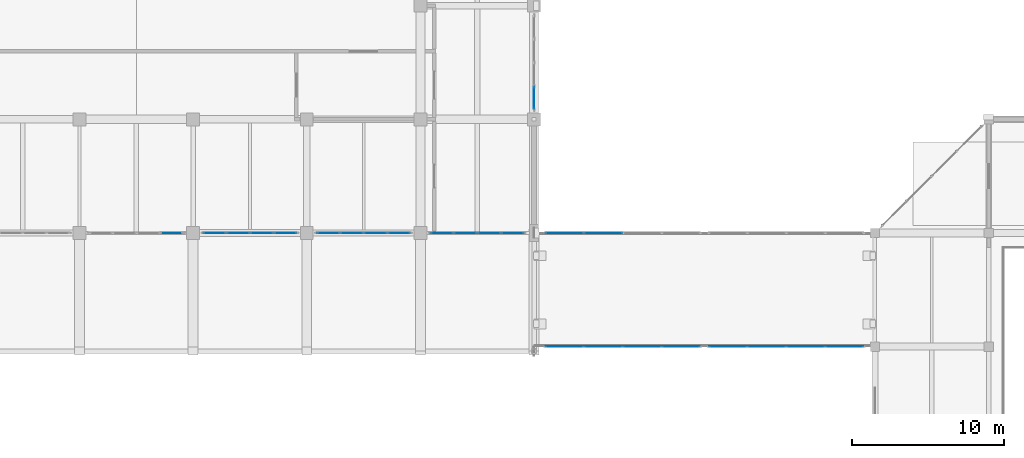
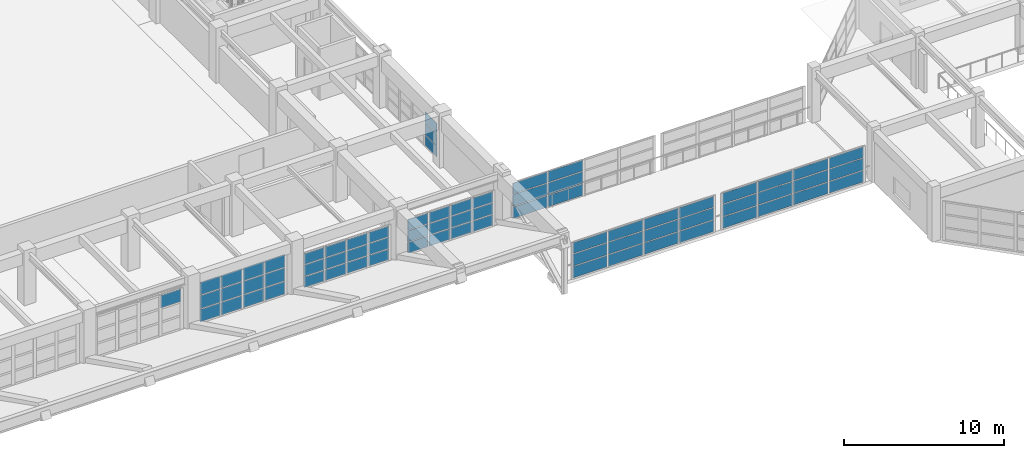
# One storey, part 86 of 132: 70 plates, 8 elements without a shape of their own.
"""IFC4 building model written with IfcOpenShell, lengths in metres."""

from ifc_helpers import new_model, si_unit, direction, frame, origin, origin_2d, place, context, subcontext, project, spatial, rectangle, extrude, material, layer, layer_set, type_object, element, aggregate, save


model = new_model("IFC4")

# Units and contexts
model_context = context("Model", 3, precision=1e-05, world=origin(), true_north=direction((0.0, 1.0)))
body_context = subcontext(model_context, "Body", "Model", "MODEL_VIEW")
ifc_project = project(units=[si_unit("LENGTHUNIT", "METRE"), si_unit("AREAUNIT", "SQUARE_METRE"), si_unit("VOLUMEUNIT", "CUBIC_METRE"), si_unit("PLANEANGLEUNIT", "RADIAN"), si_unit("MASSUNIT", "GRAM", prefix="KILO")], contexts=[model_context])

# Site, building, storey
site_placement = place(None, origin())
site = spatial("IfcSite", under=ifc_project, at=site_placement, CompositionType="ELEMENT")
building_placement = place(site_placement, origin())
building = spatial("IfcBuilding", under=site, at=building_placement, Name="Qasida Concert Hall", CompositionType="ELEMENT")
storey_placement = place(building_placement, frame((0.0, 0.0, 4.800048828125)))
storey = spatial("IfcBuildingStorey", under=building, at=storey_placement, Name="L01", CompositionType="ELEMENT", Elevation=4.800048828125)

# Curtain wall, plate
ifc_material_1 = material(Name="Architectural bronze-anodized aluminium and low-E glass", Category="aluminium")
curtain_wall_type_1 = type_object("IfcCurtainWallType", Name="CW-02", PredefinedType="NOTDEFINED", material=ifc_material_1)
curtain_wall_1_placement = place(storey_placement, origin())
curtain_wall_1 = element("IfcCurtainWall", 1, at=curtain_wall_1_placement, inside=storey, type_object=curtain_wall_type_1, Name="L01 curtain wall CW-02 0004", PredefinedType="NOTDEFINED")
ifc_material_2 = material(Name="Solar-control low-E double glazing", Category="glass")
ifc_layer_1 = layer(ifc_material_2, 0.035888671875, Name="Solar-control low-E double glazing")
ifc_layer_set_1 = layer_set([ifc_layer_1], Name="Solar-control low-E double glazing")
plate_type_1 = type_object("IfcPlateType", Name="PLT-CWP-1", PredefinedType="CURTAIN_PANEL", material=ifc_layer_set_1)
plate_1_placement = place(storey_placement, frame((81.080078125, 22.5, 2.125732421875), z_axis=(0.0, 0.0, 1.0), x_axis=(1.0, 0.0, 0.0)))
plate_1 = element("IfcPlate", 2, at=plate_1_placement, type_object=plate_type_1, Name="CW-02 panel 4.3", PredefinedType="CURTAIN_PANEL", context=body_context, shape_type="SweptSolid", body=[
    extrude(rectangle(XDim=1.4599609375, YDim=0.035888671875, at=origin_2d()), origin(), (0.0, 0.0, 1.0), 0.94921875),
])
aggregate(curtain_wall_1, [plate_1])

# Curtain wall, plates
curtain_wall_2_placement = place(storey_placement, origin())
curtain_wall_2 = element("IfcCurtainWall", 3, at=curtain_wall_2_placement, inside=storey, type_object=curtain_wall_type_1, Name="L01 curtain wall CW-02 0005", PredefinedType="NOTDEFINED")
plate_2_placement = place(storey_placement, frame((83.919921875, 22.5, 0.06494140625), z_axis=(0.0, 0.0, 1.0), x_axis=(1.0, 0.0, 0.0)))
plate_2 = element("IfcPlate", 4, at=plate_2_placement, type_object=plate_type_1, Name="CW-02 panel 1.1", PredefinedType="CURTAIN_PANEL", context=body_context, shape_type="SweptSolid", body=[
    extrude(rectangle(XDim=1.4599609375, YDim=0.035888671875, at=origin_2d()), origin(), (0.0, 0.0, 1.0), 0.94921875),
])
plate_3_placement = place(storey_placement, frame((83.919921875, 22.5, 1.0791015625), z_axis=(0.0, 0.0, 1.0), x_axis=(1.0, 0.0, 0.0)))
plate_3 = element("IfcPlate", 5, at=plate_3_placement, type_object=plate_type_1, Name="CW-02 panel 1.2", PredefinedType="CURTAIN_PANEL", context=body_context, shape_type="SweptSolid", body=[
    extrude(rectangle(XDim=1.4599609375, YDim=0.035888671875, at=origin_2d()), origin(), (0.0, 0.0, 1.0), 0.981689453125),
])
plate_4_placement = place(storey_placement, frame((83.919921875, 22.5, 2.125732421875), z_axis=(0.0, 0.0, 1.0), x_axis=(1.0, 0.0, 0.0)))
plate_4 = element("IfcPlate", 6, at=plate_4_placement, type_object=plate_type_1, Name="CW-02 panel 1.3", PredefinedType="CURTAIN_PANEL", context=body_context, shape_type="SweptSolid", body=[
    extrude(rectangle(XDim=1.4599609375, YDim=0.035888671875, at=origin_2d()), origin(), (0.0, 0.0, 1.0), 0.94921875),
])
plate_5_placement = place(storey_placement, frame((85.467529296875, 22.5, 0.06494140625), z_axis=(0.0, 0.0, 1.0), x_axis=(1.0, 0.0, 0.0)))
plate_5 = element("IfcPlate", 7, at=plate_5_placement, type_object=plate_type_1, Name="CW-02 panel 2.1", PredefinedType="CURTAIN_PANEL", context=body_context, shape_type="SweptSolid", body=[
    extrude(rectangle(XDim=1.4951171875, YDim=0.035888671875, at=origin_2d()), origin(), (0.0, 0.0, 1.0), 0.94921875),
])
plate_6_placement = place(storey_placement, frame((85.467529296875, 22.5, 1.0791015625), z_axis=(0.0, 0.0, 1.0), x_axis=(1.0, 0.0, 0.0)))
plate_6 = element("IfcPlate", 8, at=plate_6_placement, type_object=plate_type_1, Name="CW-02 panel 2.2", PredefinedType="CURTAIN_PANEL", context=body_context, shape_type="SweptSolid", body=[
    extrude(rectangle(XDim=1.4951171875, YDim=0.035888671875, at=origin_2d()), origin(), (0.0, 0.0, 1.0), 0.981689453125),
])
plate_7_placement = place(storey_placement, frame((85.467529296875, 22.5, 2.125732421875), z_axis=(0.0, 0.0, 1.0), x_axis=(1.0, 0.0, 0.0)))
plate_7 = element("IfcPlate", 9, at=plate_7_placement, type_object=plate_type_1, Name="CW-02 panel 2.3", PredefinedType="CURTAIN_PANEL", context=body_context, shape_type="SweptSolid", body=[
    extrude(rectangle(XDim=1.4951171875, YDim=0.035888671875, at=origin_2d()), origin(), (0.0, 0.0, 1.0), 0.94921875),
])
plate_8_placement = place(storey_placement, frame((87.032470703125, 22.5, 0.06494140625), z_axis=(0.0, 0.0, 1.0), x_axis=(1.0, 0.0, 0.0)))
plate_8 = element("IfcPlate", 10, at=plate_8_placement, type_object=plate_type_1, Name="CW-02 panel 3.1", PredefinedType="CURTAIN_PANEL", context=body_context, shape_type="SweptSolid", body=[
    extrude(rectangle(XDim=1.4951171875, YDim=0.035888671875, at=origin_2d()), origin(), (0.0, 0.0, 1.0), 0.94921875),
])
plate_9_placement = place(storey_placement, frame((87.032470703125, 22.5, 1.0791015625), z_axis=(0.0, 0.0, 1.0), x_axis=(1.0, 0.0, 0.0)))
plate_9 = element("IfcPlate", 11, at=plate_9_placement, type_object=plate_type_1, Name="CW-02 panel 3.2", PredefinedType="CURTAIN_PANEL", context=body_context, shape_type="SweptSolid", body=[
    extrude(rectangle(XDim=1.4951171875, YDim=0.035888671875, at=origin_2d()), origin(), (0.0, 0.0, 1.0), 0.981689453125),
])
plate_10_placement = place(storey_placement, frame((87.032470703125, 22.5, 2.125732421875), z_axis=(0.0, 0.0, 1.0), x_axis=(1.0, 0.0, 0.0)))
plate_10 = element("IfcPlate", 12, at=plate_10_placement, type_object=plate_type_1, Name="CW-02 panel 3.3", PredefinedType="CURTAIN_PANEL", context=body_context, shape_type="SweptSolid", body=[
    extrude(rectangle(XDim=1.4951171875, YDim=0.035888671875, at=origin_2d()), origin(), (0.0, 0.0, 1.0), 0.94921875),
])
plate_11_placement = place(storey_placement, frame((88.580078125, 22.5, 0.06494140625), z_axis=(0.0, 0.0, 1.0), x_axis=(1.0, 0.0, 0.0)))
plate_11 = element("IfcPlate", 13, at=plate_11_placement, type_object=plate_type_1, Name="CW-02 panel 4.1", PredefinedType="CURTAIN_PANEL", context=body_context, shape_type="SweptSolid", body=[
    extrude(rectangle(XDim=1.4599609375, YDim=0.035888671875, at=origin_2d()), origin(), (0.0, 0.0, 1.0), 0.94921875),
])
plate_12_placement = place(storey_placement, frame((88.580078125, 22.5, 1.0791015625), z_axis=(0.0, 0.0, 1.0), x_axis=(1.0, 0.0, 0.0)))
plate_12 = element("IfcPlate", 14, at=plate_12_placement, type_object=plate_type_1, Name="CW-02 panel 4.2", PredefinedType="CURTAIN_PANEL", context=body_context, shape_type="SweptSolid", body=[
    extrude(rectangle(XDim=1.4599609375, YDim=0.035888671875, at=origin_2d()), origin(), (0.0, 0.0, 1.0), 0.981689453125),
])
plate_13_placement = place(storey_placement, frame((88.580078125, 22.5, 2.125732421875), z_axis=(0.0, 0.0, 1.0), x_axis=(1.0, 0.0, 0.0)))
plate_13 = element("IfcPlate", 15, at=plate_13_placement, type_object=plate_type_1, Name="CW-02 panel 4.3", PredefinedType="CURTAIN_PANEL", context=body_context, shape_type="SweptSolid", body=[
    extrude(rectangle(XDim=1.4599609375, YDim=0.035888671875, at=origin_2d()), origin(), (0.0, 0.0, 1.0), 0.94921875),
])
aggregate(curtain_wall_2, [plate_2, plate_3, plate_4, plate_5, plate_6, plate_7, plate_8, plate_9, plate_10, plate_11, plate_12, plate_13])

curtain_wall_3_placement = place(storey_placement, origin())
curtain_wall_3 = element("IfcCurtainWall", 16, at=curtain_wall_3_placement, inside=storey, type_object=curtain_wall_type_1, Name="L01 curtain wall CW-02 0006", PredefinedType="NOTDEFINED")
plate_14_placement = place(storey_placement, frame((91.419921875, 22.5, 0.06494140625), z_axis=(0.0, 0.0, 1.0), x_axis=(1.0, 0.0, 0.0)))
plate_14 = element("IfcPlate", 17, at=plate_14_placement, type_object=plate_type_1, Name="CW-02 panel 1.1", PredefinedType="CURTAIN_PANEL", context=body_context, shape_type="SweptSolid", body=[
    extrude(rectangle(XDim=1.4599609375, YDim=0.035888671875, at=origin_2d()), origin(), (0.0, 0.0, 1.0), 0.79931640625),
])
plate_15_placement = place(storey_placement, frame((91.419921875, 22.5, 0.92919921875), z_axis=(0.0, 0.0, 1.0), x_axis=(1.0, 0.0, 0.0)))
plate_15 = element("IfcPlate", 18, at=plate_15_placement, type_object=plate_type_1, Name="CW-02 panel 1.2", PredefinedType="CURTAIN_PANEL", context=body_context, shape_type="SweptSolid", body=[
    extrude(rectangle(XDim=1.4599609375, YDim=0.035888671875, at=origin_2d()), origin(), (0.0, 0.0, 1.0), 0.83154296875),
])
plate_16_placement = place(storey_placement, frame((91.419921875, 22.5, 1.82568359375), z_axis=(0.0, 0.0, 1.0), x_axis=(1.0, 0.0, 0.0)))
plate_16 = element("IfcPlate", 19, at=plate_16_placement, type_object=plate_type_1, Name="CW-02 panel 1.3", PredefinedType="CURTAIN_PANEL", context=body_context, shape_type="SweptSolid", body=[
    extrude(rectangle(XDim=1.4599609375, YDim=0.035888671875, at=origin_2d()), origin(), (0.0, 0.0, 1.0), 0.79931640625),
])
plate_17_placement = place(storey_placement, frame((92.967529296875, 22.5, 0.06494140625), z_axis=(0.0, 0.0, 1.0), x_axis=(1.0, 0.0, 0.0)))
plate_17 = element("IfcPlate", 20, at=plate_17_placement, type_object=plate_type_1, Name="CW-02 panel 2.1", PredefinedType="CURTAIN_PANEL", context=body_context, shape_type="SweptSolid", body=[
    extrude(rectangle(XDim=1.4951171875, YDim=0.035888671875, at=origin_2d()), origin(), (0.0, 0.0, 1.0), 0.79931640625),
])
plate_18_placement = place(storey_placement, frame((92.967529296875, 22.5, 0.92919921875), z_axis=(0.0, 0.0, 1.0), x_axis=(1.0, 0.0, 0.0)))
plate_18 = element("IfcPlate", 21, at=plate_18_placement, type_object=plate_type_1, Name="CW-02 panel 2.2", PredefinedType="CURTAIN_PANEL", context=body_context, shape_type="SweptSolid", body=[
    extrude(rectangle(XDim=1.4951171875, YDim=0.035888671875, at=origin_2d()), origin(), (0.0, 0.0, 1.0), 0.83154296875),
])
plate_19_placement = place(storey_placement, frame((92.967529296875, 22.5, 1.82568359375), z_axis=(0.0, 0.0, 1.0), x_axis=(1.0, 0.0, 0.0)))
plate_19 = element("IfcPlate", 22, at=plate_19_placement, type_object=plate_type_1, Name="CW-02 panel 2.3", PredefinedType="CURTAIN_PANEL", context=body_context, shape_type="SweptSolid", body=[
    extrude(rectangle(XDim=1.4951171875, YDim=0.035888671875, at=origin_2d()), origin(), (0.0, 0.0, 1.0), 0.79931640625),
])
plate_20_placement = place(storey_placement, frame((94.532470703125, 22.5, 0.06494140625), z_axis=(0.0, 0.0, 1.0), x_axis=(1.0, 0.0, 0.0)))
plate_20 = element("IfcPlate", 23, at=plate_20_placement, type_object=plate_type_1, Name="CW-02 panel 3.1", PredefinedType="CURTAIN_PANEL", context=body_context, shape_type="SweptSolid", body=[
    extrude(rectangle(XDim=1.4951171875, YDim=0.035888671875, at=origin_2d()), origin(), (0.0, 0.0, 1.0), 0.79931640625),
])
plate_21_placement = place(storey_placement, frame((94.532470703125, 22.5, 0.92919921875), z_axis=(0.0, 0.0, 1.0), x_axis=(1.0, 0.0, 0.0)))
plate_21 = element("IfcPlate", 24, at=plate_21_placement, type_object=plate_type_1, Name="CW-02 panel 3.2", PredefinedType="CURTAIN_PANEL", context=body_context, shape_type="SweptSolid", body=[
    extrude(rectangle(XDim=1.4951171875, YDim=0.035888671875, at=origin_2d()), origin(), (0.0, 0.0, 1.0), 0.83154296875),
])
plate_22_placement = place(storey_placement, frame((94.532470703125, 22.5, 1.82568359375), z_axis=(0.0, 0.0, 1.0), x_axis=(1.0, 0.0, 0.0)))
plate_22 = element("IfcPlate", 25, at=plate_22_placement, type_object=plate_type_1, Name="CW-02 panel 3.3", PredefinedType="CURTAIN_PANEL", context=body_context, shape_type="SweptSolid", body=[
    extrude(rectangle(XDim=1.4951171875, YDim=0.035888671875, at=origin_2d()), origin(), (0.0, 0.0, 1.0), 0.79931640625),
])
plate_23_placement = place(storey_placement, frame((96.080078125, 22.5, 0.06494140625), z_axis=(0.0, 0.0, 1.0), x_axis=(1.0, 0.0, 0.0)))
plate_23 = element("IfcPlate", 26, at=plate_23_placement, type_object=plate_type_1, Name="CW-02 panel 4.1", PredefinedType="CURTAIN_PANEL", context=body_context, shape_type="SweptSolid", body=[
    extrude(rectangle(XDim=1.4599609375, YDim=0.035888671875, at=origin_2d()), origin(), (0.0, 0.0, 1.0), 0.79931640625),
])
plate_24_placement = place(storey_placement, frame((96.080078125, 22.5, 0.92919921875), z_axis=(0.0, 0.0, 1.0), x_axis=(1.0, 0.0, 0.0)))
plate_24 = element("IfcPlate", 27, at=plate_24_placement, type_object=plate_type_1, Name="CW-02 panel 4.2", PredefinedType="CURTAIN_PANEL", context=body_context, shape_type="SweptSolid", body=[
    extrude(rectangle(XDim=1.4599609375, YDim=0.035888671875, at=origin_2d()), origin(), (0.0, 0.0, 1.0), 0.83154296875),
])
plate_25_placement = place(storey_placement, frame((96.080078125, 22.5, 1.82568359375), z_axis=(0.0, 0.0, 1.0), x_axis=(1.0, 0.0, 0.0)))
plate_25 = element("IfcPlate", 28, at=plate_25_placement, type_object=plate_type_1, Name="CW-02 panel 4.3", PredefinedType="CURTAIN_PANEL", context=body_context, shape_type="SweptSolid", body=[
    extrude(rectangle(XDim=1.4599609375, YDim=0.035888671875, at=origin_2d()), origin(), (0.0, 0.0, 1.0), 0.79931640625),
])
aggregate(curtain_wall_3, [plate_14, plate_15, plate_16, plate_17, plate_18, plate_19, plate_20, plate_21, plate_22, plate_23, plate_24, plate_25])

curtain_wall_4_placement = place(storey_placement, origin())
curtain_wall_4 = element("IfcCurtainWall", 29, at=curtain_wall_4_placement, inside=storey, type_object=curtain_wall_type_1, Name="L01 curtain wall CW-02 0007", PredefinedType="NOTDEFINED")
plate_26_placement = place(storey_placement, frame((98.919921875, 22.5, 0.06494140625), z_axis=(0.0, 0.0, 1.0), x_axis=(1.0, 0.0, 0.0)))
plate_26 = element("IfcPlate", 30, at=plate_26_placement, type_object=plate_type_1, Name="CW-02 panel 1.1", PredefinedType="CURTAIN_PANEL", context=body_context, shape_type="SweptSolid", body=[
    extrude(rectangle(XDim=1.4599609375, YDim=0.035888671875, at=origin_2d()), origin(), (0.0, 0.0, 1.0), 0.79931640625),
])
plate_27_placement = place(storey_placement, frame((98.919921875, 22.5, 0.92919921875), z_axis=(0.0, 0.0, 1.0), x_axis=(1.0, 0.0, 0.0)))
plate_27 = element("IfcPlate", 31, at=plate_27_placement, type_object=plate_type_1, Name="CW-02 panel 1.2", PredefinedType="CURTAIN_PANEL", context=body_context, shape_type="SweptSolid", body=[
    extrude(rectangle(XDim=1.4599609375, YDim=0.035888671875, at=origin_2d()), origin(), (0.0, 0.0, 1.0), 0.83154296875),
])
plate_28_placement = place(storey_placement, frame((98.919921875, 22.5, 1.82568359375), z_axis=(0.0, 0.0, 1.0), x_axis=(1.0, 0.0, 0.0)))
plate_28 = element("IfcPlate", 32, at=plate_28_placement, type_object=plate_type_1, Name="CW-02 panel 1.3", PredefinedType="CURTAIN_PANEL", context=body_context, shape_type="SweptSolid", body=[
    extrude(rectangle(XDim=1.4599609375, YDim=0.035888671875, at=origin_2d()), origin(), (0.0, 0.0, 1.0), 0.79931640625),
])
plate_29_placement = place(storey_placement, frame((100.467529296875, 22.5, 0.06494140625), z_axis=(0.0, 0.0, 1.0), x_axis=(1.0, 0.0, 0.0)))
plate_29 = element("IfcPlate", 33, at=plate_29_placement, type_object=plate_type_1, Name="CW-02 panel 2.1", PredefinedType="CURTAIN_PANEL", context=body_context, shape_type="SweptSolid", body=[
    extrude(rectangle(XDim=1.4951171875, YDim=0.035888671875, at=origin_2d()), origin(), (0.0, 0.0, 1.0), 0.79931640625),
])
plate_30_placement = place(storey_placement, frame((100.467529296875, 22.5, 0.92919921875), z_axis=(0.0, 0.0, 1.0), x_axis=(1.0, 0.0, 0.0)))
plate_30 = element("IfcPlate", 34, at=plate_30_placement, type_object=plate_type_1, Name="CW-02 panel 2.2", PredefinedType="CURTAIN_PANEL", context=body_context, shape_type="SweptSolid", body=[
    extrude(rectangle(XDim=1.4951171875, YDim=0.035888671875, at=origin_2d()), origin(), (0.0, 0.0, 1.0), 0.83154296875),
])
plate_31_placement = place(storey_placement, frame((100.467529296875, 22.5, 1.82568359375), z_axis=(0.0, 0.0, 1.0), x_axis=(1.0, 0.0, 0.0)))
plate_31 = element("IfcPlate", 35, at=plate_31_placement, type_object=plate_type_1, Name="CW-02 panel 2.3", PredefinedType="CURTAIN_PANEL", context=body_context, shape_type="SweptSolid", body=[
    extrude(rectangle(XDim=1.4951171875, YDim=0.035888671875, at=origin_2d()), origin(), (0.0, 0.0, 1.0), 0.79931640625),
])
plate_32_placement = place(storey_placement, frame((102.032470703125, 22.5, 0.06494140625), z_axis=(0.0, 0.0, 1.0), x_axis=(1.0, 0.0, 0.0)))
plate_32 = element("IfcPlate", 36, at=plate_32_placement, type_object=plate_type_1, Name="CW-02 panel 3.1", PredefinedType="CURTAIN_PANEL", context=body_context, shape_type="SweptSolid", body=[
    extrude(rectangle(XDim=1.4951171875, YDim=0.035888671875, at=origin_2d()), origin(), (0.0, 0.0, 1.0), 0.79931640625),
])
plate_33_placement = place(storey_placement, frame((102.032470703125, 22.5, 0.92919921875), z_axis=(0.0, 0.0, 1.0), x_axis=(1.0, 0.0, 0.0)))
plate_33 = element("IfcPlate", 37, at=plate_33_placement, type_object=plate_type_1, Name="CW-02 panel 3.2", PredefinedType="CURTAIN_PANEL", context=body_context, shape_type="SweptSolid", body=[
    extrude(rectangle(XDim=1.4951171875, YDim=0.035888671875, at=origin_2d()), origin(), (0.0, 0.0, 1.0), 0.83154296875),
])
plate_34_placement = place(storey_placement, frame((102.032470703125, 22.5, 1.82568359375), z_axis=(0.0, 0.0, 1.0), x_axis=(1.0, 0.0, 0.0)))
plate_34 = element("IfcPlate", 38, at=plate_34_placement, type_object=plate_type_1, Name="CW-02 panel 3.3", PredefinedType="CURTAIN_PANEL", context=body_context, shape_type="SweptSolid", body=[
    extrude(rectangle(XDim=1.4951171875, YDim=0.035888671875, at=origin_2d()), origin(), (0.0, 0.0, 1.0), 0.79931640625),
])
plate_35_placement = place(storey_placement, frame((103.580078125, 22.5, 0.06494140625), z_axis=(0.0, 0.0, 1.0), x_axis=(1.0, 0.0, 0.0)))
plate_35 = element("IfcPlate", 39, at=plate_35_placement, type_object=plate_type_1, Name="CW-02 panel 4.1", PredefinedType="CURTAIN_PANEL", context=body_context, shape_type="SweptSolid", body=[
    extrude(rectangle(XDim=1.4599609375, YDim=0.035888671875, at=origin_2d()), origin(), (0.0, 0.0, 1.0), 0.79931640625),
])
plate_36_placement = place(storey_placement, frame((103.580078125, 22.5, 0.92919921875), z_axis=(0.0, 0.0, 1.0), x_axis=(1.0, 0.0, 0.0)))
plate_36 = element("IfcPlate", 40, at=plate_36_placement, type_object=plate_type_1, Name="CW-02 panel 4.2", PredefinedType="CURTAIN_PANEL", context=body_context, shape_type="SweptSolid", body=[
    extrude(rectangle(XDim=1.4599609375, YDim=0.035888671875, at=origin_2d()), origin(), (0.0, 0.0, 1.0), 0.83154296875),
])
plate_37_placement = place(storey_placement, frame((103.580078125, 22.5, 1.82568359375), z_axis=(0.0, 0.0, 1.0), x_axis=(1.0, 0.0, 0.0)))
plate_37 = element("IfcPlate", 41, at=plate_37_placement, type_object=plate_type_1, Name="CW-02 panel 4.3", PredefinedType="CURTAIN_PANEL", context=body_context, shape_type="SweptSolid", body=[
    extrude(rectangle(XDim=1.4599609375, YDim=0.035888671875, at=origin_2d()), origin(), (0.0, 0.0, 1.0), 0.79931640625),
])
aggregate(curtain_wall_4, [plate_26, plate_27, plate_28, plate_29, plate_30, plate_31, plate_32, plate_33, plate_34, plate_35, plate_36, plate_37])

curtain_wall_5_placement = place(storey_placement, origin())
curtain_wall_5 = element("IfcCurtainWall", 42, at=curtain_wall_5_placement, inside=storey, type_object=curtain_wall_type_1, Name="L01 curtain wall CW-02 0041", PredefinedType="NOTDEFINED")
plate_38_placement = place(storey_placement, frame((105.0, 31.419921875, 0.06494140625), z_axis=(0.0, 0.0, 1.0), x_axis=(0.0, 1.0, 0.0)))
plate_38 = element("IfcPlate", 43, at=plate_38_placement, type_object=plate_type_1, Name="CW-02 panel 1.1", PredefinedType="CURTAIN_PANEL", context=body_context, shape_type="SweptSolid", body=[
    extrude(rectangle(XDim=1.4599609375, YDim=0.035888671875, at=origin_2d()), origin(), (0.0, 0.0, 1.0), 0.79931640625),
])
plate_39_placement = place(storey_placement, frame((105.0, 31.419921875, 0.92919921875), z_axis=(0.0, 0.0, 1.0), x_axis=(0.0, 1.0, 0.0)))
plate_39 = element("IfcPlate", 44, at=plate_39_placement, type_object=plate_type_1, Name="CW-02 panel 1.2", PredefinedType="CURTAIN_PANEL", context=body_context, shape_type="SweptSolid", body=[
    extrude(rectangle(XDim=1.4599609375, YDim=0.035888671875, at=origin_2d()), origin(), (0.0, 0.0, 1.0), 0.83154296875),
])
plate_40_placement = place(storey_placement, frame((105.0, 31.419921875, 1.82568359375), z_axis=(0.0, 0.0, 1.0), x_axis=(0.0, 1.0, 0.0)))
plate_40 = element("IfcPlate", 45, at=plate_40_placement, type_object=plate_type_1, Name="CW-02 panel 1.3", PredefinedType="CURTAIN_PANEL", context=body_context, shape_type="SweptSolid", body=[
    extrude(rectangle(XDim=1.4599609375, YDim=0.035888671875, at=origin_2d()), origin(), (0.0, 0.0, 1.0), 0.79931640625),
])
aggregate(curtain_wall_5, [plate_38, plate_39, plate_40])

curtain_wall_type_2 = type_object("IfcCurtainWallType", Name="CW-07", PredefinedType="NOTDEFINED", material=ifc_material_1)
curtain_wall_6_placement = place(storey_placement, origin())
curtain_wall_6 = element("IfcCurtainWall", 46, at=curtain_wall_6_placement, inside=storey, type_object=curtain_wall_type_2, Name="L01 link bridge glazing 0234", PredefinedType="NOTDEFINED")
ifc_layer_2 = layer(ifc_material_2, 0.031982421875, Name="Solar-control low-E double glazing")
ifc_layer_set_2 = layer_set([ifc_layer_2], Name="Solar-control low-E double glazing")
plate_type_2 = type_object("IfcPlateType", Name="PLT-CWP-2", PredefinedType="CURTAIN_PANEL", material=ifc_layer_set_2)
plate_41_placement = place(storey_placement, frame((107.003662109375, 15.0, 0.06005859375), z_axis=(0.0, 0.0, 1.0), x_axis=(1.0, 0.0, 0.0)))
plate_41 = element("IfcPlate", 47, at=plate_41_placement, type_object=plate_type_2, Name="CW-07 panel 1.1", PredefinedType="CURTAIN_PANEL", context=body_context, shape_type="SweptSolid", body=[
    extrude(rectangle(XDim=2.4775390625, YDim=0.031982421875, at=origin_2d()), origin(), (0.0, 0.0, 1.0), 0.860107421875),
])
plate_42_placement = place(storey_placement, frame((107.003662109375, 15.0, 0.97998046875), z_axis=(0.0, 0.0, 1.0), x_axis=(1.0, 0.0, 0.0)))
plate_42 = element("IfcPlate", 48, at=plate_42_placement, type_object=plate_type_2, Name="CW-07 panel 1.2", PredefinedType="CURTAIN_PANEL", context=body_context, shape_type="SweptSolid", body=[
    extrude(rectangle(XDim=2.4775390625, YDim=0.031982421875, at=origin_2d()), origin(), (0.0, 0.0, 1.0), 0.889892578125),
])
plate_43_placement = place(storey_placement, frame((107.003662109375, 15.0, 1.929931640625), z_axis=(0.0, 0.0, 1.0), x_axis=(1.0, 0.0, 0.0)))
plate_43 = element("IfcPlate", 49, at=plate_43_placement, type_object=plate_type_2, Name="CW-07 panel 1.3", PredefinedType="CURTAIN_PANEL", context=body_context, shape_type="SweptSolid", body=[
    extrude(rectangle(XDim=2.4775390625, YDim=0.031982421875, at=origin_2d()), origin(), (0.0, 0.0, 1.0), 0.81005859375),
])
plate_44_placement = place(storey_placement, frame((109.5625, 15.0, 0.06005859375), z_axis=(0.0, 0.0, 1.0), x_axis=(1.0, 0.0, 0.0)))
plate_44 = element("IfcPlate", 50, at=plate_44_placement, type_object=plate_type_2, Name="CW-07 panel 2.1", PredefinedType="CURTAIN_PANEL", context=body_context, shape_type="SweptSolid", body=[
    extrude(rectangle(XDim=2.510009765625, YDim=0.031982421875, at=origin_2d()), origin(), (0.0, 0.0, 1.0), 0.860107421875),
])
plate_45_placement = place(storey_placement, frame((109.5625, 15.0, 0.97998046875), z_axis=(0.0, 0.0, 1.0), x_axis=(1.0, 0.0, 0.0)))
plate_45 = element("IfcPlate", 51, at=plate_45_placement, type_object=plate_type_2, Name="CW-07 panel 2.2", PredefinedType="CURTAIN_PANEL", context=body_context, shape_type="SweptSolid", body=[
    extrude(rectangle(XDim=2.510009765625, YDim=0.031982421875, at=origin_2d()), origin(), (0.0, 0.0, 1.0), 0.889892578125),
])
plate_46_placement = place(storey_placement, frame((109.5625, 15.0, 1.929931640625), z_axis=(0.0, 0.0, 1.0), x_axis=(1.0, 0.0, 0.0)))
plate_46 = element("IfcPlate", 52, at=plate_46_placement, type_object=plate_type_2, Name="CW-07 panel 2.3", PredefinedType="CURTAIN_PANEL", context=body_context, shape_type="SweptSolid", body=[
    extrude(rectangle(XDim=2.510009765625, YDim=0.031982421875, at=origin_2d()), origin(), (0.0, 0.0, 1.0), 0.81005859375),
])
plate_47_placement = place(storey_placement, frame((112.137451171875, 15.0, 0.06005859375), z_axis=(0.0, 0.0, 1.0), x_axis=(1.0, 0.0, 0.0)))
plate_47 = element("IfcPlate", 53, at=plate_47_placement, type_object=plate_type_2, Name="CW-07 panel 3.1", PredefinedType="CURTAIN_PANEL", context=body_context, shape_type="SweptSolid", body=[
    extrude(rectangle(XDim=2.510009765625, YDim=0.031982421875, at=origin_2d()), origin(), (0.0, 0.0, 1.0), 0.860107421875),
])
plate_48_placement = place(storey_placement, frame((112.137451171875, 15.0, 0.97998046875), z_axis=(0.0, 0.0, 1.0), x_axis=(1.0, 0.0, 0.0)))
plate_48 = element("IfcPlate", 54, at=plate_48_placement, type_object=plate_type_2, Name="CW-07 panel 3.2", PredefinedType="CURTAIN_PANEL", context=body_context, shape_type="SweptSolid", body=[
    extrude(rectangle(XDim=2.510009765625, YDim=0.031982421875, at=origin_2d()), origin(), (0.0, 0.0, 1.0), 0.889892578125),
])
plate_49_placement = place(storey_placement, frame((112.137451171875, 15.0, 1.929931640625), z_axis=(0.0, 0.0, 1.0), x_axis=(1.0, 0.0, 0.0)))
plate_49 = element("IfcPlate", 55, at=plate_49_placement, type_object=plate_type_2, Name="CW-07 panel 3.3", PredefinedType="CURTAIN_PANEL", context=body_context, shape_type="SweptSolid", body=[
    extrude(rectangle(XDim=2.510009765625, YDim=0.031982421875, at=origin_2d()), origin(), (0.0, 0.0, 1.0), 0.81005859375),
])
plate_50_placement = place(storey_placement, frame((114.6962890625, 15.0, 0.06005859375), z_axis=(0.0, 0.0, 1.0), x_axis=(1.0, 0.0, 0.0)))
plate_50 = element("IfcPlate", 56, at=plate_50_placement, type_object=plate_type_2, Name="CW-07 panel 4.1", PredefinedType="CURTAIN_PANEL", context=body_context, shape_type="SweptSolid", body=[
    extrude(rectangle(XDim=2.4775390625, YDim=0.031982421875, at=origin_2d()), origin(), (0.0, 0.0, 1.0), 0.860107421875),
])
plate_51_placement = place(storey_placement, frame((114.6962890625, 15.0, 0.97998046875), z_axis=(0.0, 0.0, 1.0), x_axis=(1.0, 0.0, 0.0)))
plate_51 = element("IfcPlate", 57, at=plate_51_placement, type_object=plate_type_2, Name="CW-07 panel 4.2", PredefinedType="CURTAIN_PANEL", context=body_context, shape_type="SweptSolid", body=[
    extrude(rectangle(XDim=2.4775390625, YDim=0.031982421875, at=origin_2d()), origin(), (0.0, 0.0, 1.0), 0.889892578125),
])
plate_52_placement = place(storey_placement, frame((114.6962890625, 15.0, 1.929931640625), z_axis=(0.0, 0.0, 1.0), x_axis=(1.0, 0.0, 0.0)))
plate_52 = element("IfcPlate", 58, at=plate_52_placement, type_object=plate_type_2, Name="CW-07 panel 4.3", PredefinedType="CURTAIN_PANEL", context=body_context, shape_type="SweptSolid", body=[
    extrude(rectangle(XDim=2.4775390625, YDim=0.031982421875, at=origin_2d()), origin(), (0.0, 0.0, 1.0), 0.81005859375),
])
aggregate(curtain_wall_6, [plate_41, plate_42, plate_43, plate_44, plate_45, plate_46, plate_47, plate_48, plate_49, plate_50, plate_51, plate_52])

curtain_wall_7_placement = place(storey_placement, origin())
curtain_wall_7 = element("IfcCurtainWall", 59, at=curtain_wall_7_placement, inside=storey, type_object=curtain_wall_type_2, Name="L01 link bridge glazing 0235", PredefinedType="NOTDEFINED")
plate_53_placement = place(storey_placement, frame((107.003662109375, 22.5, 0.06005859375), z_axis=(0.0, 0.0, 1.0), x_axis=(1.0, 0.0, 0.0)))
plate_53 = element("IfcPlate", 60, at=plate_53_placement, type_object=plate_type_2, Name="CW-07 panel 1.1", PredefinedType="CURTAIN_PANEL", context=body_context, shape_type="SweptSolid", body=[
    extrude(rectangle(XDim=2.4775390625, YDim=0.031982421875, at=origin_2d()), origin(), (0.0, 0.0, 1.0), 0.860107421875),
])
plate_54_placement = place(storey_placement, frame((107.003662109375, 22.5, 0.97998046875), z_axis=(0.0, 0.0, 1.0), x_axis=(1.0, 0.0, 0.0)))
plate_54 = element("IfcPlate", 61, at=plate_54_placement, type_object=plate_type_2, Name="CW-07 panel 1.2", PredefinedType="CURTAIN_PANEL", context=body_context, shape_type="SweptSolid", body=[
    extrude(rectangle(XDim=2.4775390625, YDim=0.031982421875, at=origin_2d()), origin(), (0.0, 0.0, 1.0), 0.889892578125),
])
plate_55_placement = place(storey_placement, frame((107.003662109375, 22.5, 1.929931640625), z_axis=(0.0, 0.0, 1.0), x_axis=(1.0, 0.0, 0.0)))
plate_55 = element("IfcPlate", 62, at=plate_55_placement, type_object=plate_type_2, Name="CW-07 panel 1.3", PredefinedType="CURTAIN_PANEL", context=body_context, shape_type="SweptSolid", body=[
    extrude(rectangle(XDim=2.4775390625, YDim=0.031982421875, at=origin_2d()), origin(), (0.0, 0.0, 1.0), 0.81005859375),
])
plate_56_placement = place(storey_placement, frame((109.5625, 22.5, 0.06005859375), z_axis=(0.0, 0.0, 1.0), x_axis=(1.0, 0.0, 0.0)))
plate_56 = element("IfcPlate", 63, at=plate_56_placement, type_object=plate_type_2, Name="CW-07 panel 2.1", PredefinedType="CURTAIN_PANEL", context=body_context, shape_type="SweptSolid", body=[
    extrude(rectangle(XDim=2.510009765625, YDim=0.031982421875, at=origin_2d()), origin(), (0.0, 0.0, 1.0), 0.860107421875),
])
plate_57_placement = place(storey_placement, frame((109.5625, 22.5, 0.97998046875), z_axis=(0.0, 0.0, 1.0), x_axis=(1.0, 0.0, 0.0)))
plate_57 = element("IfcPlate", 64, at=plate_57_placement, type_object=plate_type_2, Name="CW-07 panel 2.2", PredefinedType="CURTAIN_PANEL", context=body_context, shape_type="SweptSolid", body=[
    extrude(rectangle(XDim=2.510009765625, YDim=0.031982421875, at=origin_2d()), origin(), (0.0, 0.0, 1.0), 0.889892578125),
])
plate_58_placement = place(storey_placement, frame((109.5625, 22.5, 1.929931640625), z_axis=(0.0, 0.0, 1.0), x_axis=(1.0, 0.0, 0.0)))
plate_58 = element("IfcPlate", 65, at=plate_58_placement, type_object=plate_type_2, Name="CW-07 panel 2.3", PredefinedType="CURTAIN_PANEL", context=body_context, shape_type="SweptSolid", body=[
    extrude(rectangle(XDim=2.510009765625, YDim=0.031982421875, at=origin_2d()), origin(), (0.0, 0.0, 1.0), 0.81005859375),
])
aggregate(curtain_wall_7, [plate_53, plate_54, plate_55, plate_56, plate_57, plate_58])

curtain_wall_8_placement = place(storey_placement, origin())
curtain_wall_8 = element("IfcCurtainWall", 66, at=curtain_wall_8_placement, inside=storey, type_object=curtain_wall_type_2, Name="L01 link bridge glazing 0236", PredefinedType="NOTDEFINED")
plate_59_placement = place(storey_placement, frame((117.8037109375, 15.0, 0.06005859375), z_axis=(0.0, 0.0, 1.0), x_axis=(1.0, 0.0, 0.0)))
plate_59 = element("IfcPlate", 67, at=plate_59_placement, type_object=plate_type_2, Name="CW-07 panel 1.1", PredefinedType="CURTAIN_PANEL", context=body_context, shape_type="SweptSolid", body=[
    extrude(rectangle(XDim=2.4775390625, YDim=0.031982421875, at=origin_2d()), origin(), (0.0, 0.0, 1.0), 0.860107421875),
])
plate_60_placement = place(storey_placement, frame((117.8037109375, 15.0, 0.97998046875), z_axis=(0.0, 0.0, 1.0), x_axis=(1.0, 0.0, 0.0)))
plate_60 = element("IfcPlate", 68, at=plate_60_placement, type_object=plate_type_2, Name="CW-07 panel 1.2", PredefinedType="CURTAIN_PANEL", context=body_context, shape_type="SweptSolid", body=[
    extrude(rectangle(XDim=2.4775390625, YDim=0.031982421875, at=origin_2d()), origin(), (0.0, 0.0, 1.0), 0.889892578125),
])
plate_61_placement = place(storey_placement, frame((117.8037109375, 15.0, 1.929931640625), z_axis=(0.0, 0.0, 1.0), x_axis=(1.0, 0.0, 0.0)))
plate_61 = element("IfcPlate", 69, at=plate_61_placement, type_object=plate_type_2, Name="CW-07 panel 1.3", PredefinedType="CURTAIN_PANEL", context=body_context, shape_type="SweptSolid", body=[
    extrude(rectangle(XDim=2.4775390625, YDim=0.031982421875, at=origin_2d()), origin(), (0.0, 0.0, 1.0), 0.81005859375),
])
plate_62_placement = place(storey_placement, frame((120.362548828125, 15.0, 0.06005859375), z_axis=(0.0, 0.0, 1.0), x_axis=(1.0, 0.0, 0.0)))
plate_62 = element("IfcPlate", 70, at=plate_62_placement, type_object=plate_type_2, Name="CW-07 panel 2.1", PredefinedType="CURTAIN_PANEL", context=body_context, shape_type="SweptSolid", body=[
    extrude(rectangle(XDim=2.510009765625, YDim=0.031982421875, at=origin_2d()), origin(), (0.0, 0.0, 1.0), 0.860107421875),
])
plate_63_placement = place(storey_placement, frame((120.362548828125, 15.0, 0.97998046875), z_axis=(0.0, 0.0, 1.0), x_axis=(1.0, 0.0, 0.0)))
plate_63 = element("IfcPlate", 71, at=plate_63_placement, type_object=plate_type_2, Name="CW-07 panel 2.2", PredefinedType="CURTAIN_PANEL", context=body_context, shape_type="SweptSolid", body=[
    extrude(rectangle(XDim=2.510009765625, YDim=0.031982421875, at=origin_2d()), origin(), (0.0, 0.0, 1.0), 0.889892578125),
])
plate_64_placement = place(storey_placement, frame((120.362548828125, 15.0, 1.929931640625), z_axis=(0.0, 0.0, 1.0), x_axis=(1.0, 0.0, 0.0)))
plate_64 = element("IfcPlate", 72, at=plate_64_placement, type_object=plate_type_2, Name="CW-07 panel 2.3", PredefinedType="CURTAIN_PANEL", context=body_context, shape_type="SweptSolid", body=[
    extrude(rectangle(XDim=2.510009765625, YDim=0.031982421875, at=origin_2d()), origin(), (0.0, 0.0, 1.0), 0.81005859375),
])
plate_65_placement = place(storey_placement, frame((122.9375, 15.0, 0.06005859375), z_axis=(0.0, 0.0, 1.0), x_axis=(1.0, 0.0, 0.0)))
plate_65 = element("IfcPlate", 73, at=plate_65_placement, type_object=plate_type_2, Name="CW-07 panel 3.1", PredefinedType="CURTAIN_PANEL", context=body_context, shape_type="SweptSolid", body=[
    extrude(rectangle(XDim=2.510009765625, YDim=0.031982421875, at=origin_2d()), origin(), (0.0, 0.0, 1.0), 0.860107421875),
])
plate_66_placement = place(storey_placement, frame((122.9375, 15.0, 0.97998046875), z_axis=(0.0, 0.0, 1.0), x_axis=(1.0, 0.0, 0.0)))
plate_66 = element("IfcPlate", 74, at=plate_66_placement, type_object=plate_type_2, Name="CW-07 panel 3.2", PredefinedType="CURTAIN_PANEL", context=body_context, shape_type="SweptSolid", body=[
    extrude(rectangle(XDim=2.510009765625, YDim=0.031982421875, at=origin_2d()), origin(), (0.0, 0.0, 1.0), 0.889892578125),
])
plate_67_placement = place(storey_placement, frame((122.9375, 15.0, 1.929931640625), z_axis=(0.0, 0.0, 1.0), x_axis=(1.0, 0.0, 0.0)))
plate_67 = element("IfcPlate", 75, at=plate_67_placement, type_object=plate_type_2, Name="CW-07 panel 3.3", PredefinedType="CURTAIN_PANEL", context=body_context, shape_type="SweptSolid", body=[
    extrude(rectangle(XDim=2.510009765625, YDim=0.031982421875, at=origin_2d()), origin(), (0.0, 0.0, 1.0), 0.81005859375),
])
plate_68_placement = place(storey_placement, frame((125.496337890625, 15.0, 0.06005859375), z_axis=(0.0, 0.0, 1.0), x_axis=(1.0, 0.0, 0.0)))
plate_68 = element("IfcPlate", 76, at=plate_68_placement, type_object=plate_type_2, Name="CW-07 panel 4.1", PredefinedType="CURTAIN_PANEL", context=body_context, shape_type="SweptSolid", body=[
    extrude(rectangle(XDim=2.4775390625, YDim=0.031982421875, at=origin_2d()), origin(), (0.0, 0.0, 1.0), 0.860107421875),
])
plate_69_placement = place(storey_placement, frame((125.496337890625, 15.0, 0.97998046875), z_axis=(0.0, 0.0, 1.0), x_axis=(1.0, 0.0, 0.0)))
plate_69 = element("IfcPlate", 77, at=plate_69_placement, type_object=plate_type_2, Name="CW-07 panel 4.2", PredefinedType="CURTAIN_PANEL", context=body_context, shape_type="SweptSolid", body=[
    extrude(rectangle(XDim=2.4775390625, YDim=0.031982421875, at=origin_2d()), origin(), (0.0, 0.0, 1.0), 0.889892578125),
])
plate_70_placement = place(storey_placement, frame((125.496337890625, 15.0, 1.929931640625), z_axis=(0.0, 0.0, 1.0), x_axis=(1.0, 0.0, 0.0)))
plate_70 = element("IfcPlate", 78, at=plate_70_placement, type_object=plate_type_2, Name="CW-07 panel 4.3", PredefinedType="CURTAIN_PANEL", context=body_context, shape_type="SweptSolid", body=[
    extrude(rectangle(XDim=2.4775390625, YDim=0.031982421875, at=origin_2d()), origin(), (0.0, 0.0, 1.0), 0.81005859375),
])
aggregate(curtain_wall_8, [plate_59, plate_60, plate_61, plate_62, plate_63, plate_64, plate_65, plate_66, plate_67, plate_68, plate_69, plate_70])

save(model, "model.ifc")
